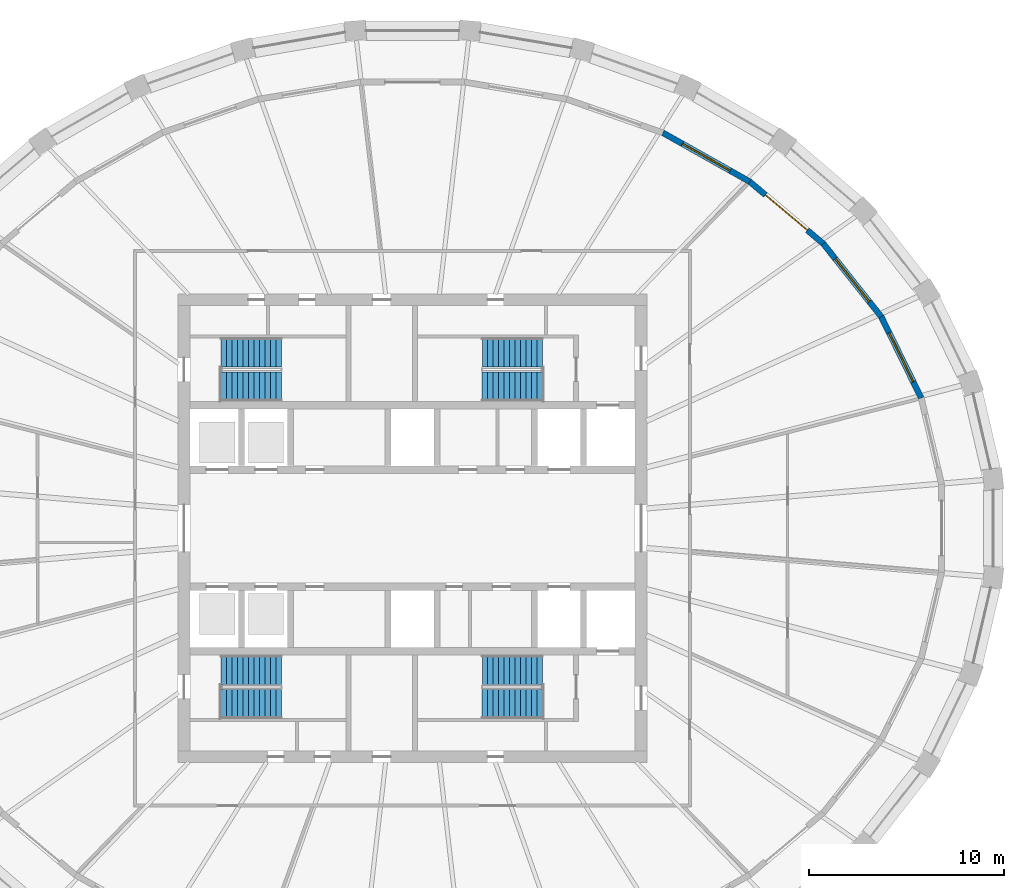
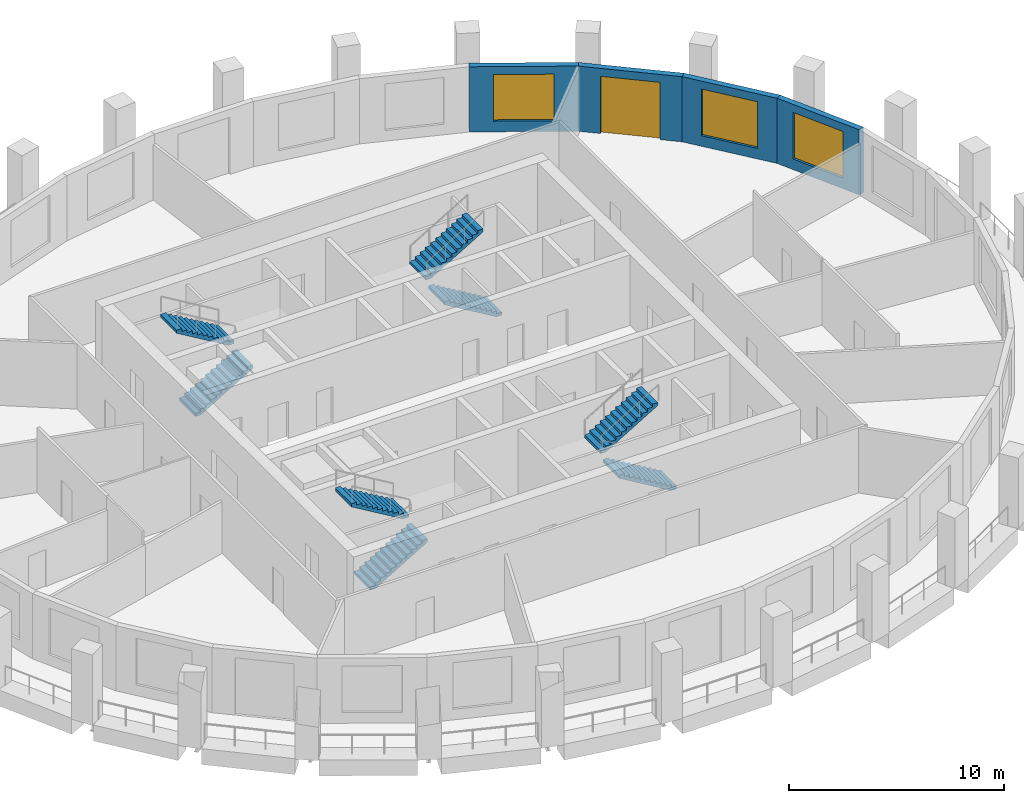
# One storey, part 7 of 10: 8 stair flights, 4 walls, 3 windows, 1 door, 4 openings, 4 elements without a shape of their own.
"""IFC4 building model written with IfcOpenShell, lengths in metres."""

from ifc_helpers import new_model, si_unit, direction, frame, frame_2d, origin, place, context, subcontext, project, spatial, polyline, rectangle, outline, extrude, material, layer, layer_set, type_object, element, fill, aggregate, save


model = new_model("IFC4")

# Units and contexts
model_context = context("Model", 3, precision=1e-05, world=origin(), true_north=direction((0.0, 1.0)))
body_context = subcontext(model_context, "Body", "Model", "MODEL_VIEW")
ifc_project = project(units=[si_unit("LENGTHUNIT", "METRE"), si_unit("AREAUNIT", "SQUARE_METRE"), si_unit("VOLUMEUNIT", "CUBIC_METRE"), si_unit("PLANEANGLEUNIT", "RADIAN"), si_unit("MASSUNIT", "GRAM", prefix="KILO")], contexts=[model_context])

# Site, building, storey
site_placement = place(None, origin())
site = spatial("IfcSite", under=ifc_project, at=site_placement, CompositionType="ELEMENT")
building_placement = place(site_placement, origin())
building = spatial("IfcBuilding", under=site, at=building_placement, Name="Halqa Exchange Tower", CompositionType="ELEMENT")
storey_placement = place(building_placement, frame((0.0, 0.0, 272.300048828125)))
storey = spatial("IfcBuildingStorey", under=building, at=storey_placement, Name="L63", CompositionType="ELEMENT", Elevation=272.300048828125)

# Wall, opening, window
ifc_material_1 = material(Name="Limestone cladding", Category="masonry")
ifc_layer_1 = layer(ifc_material_1, 0.0400390625)
ifc_material_2 = material(Name="Ventilated cavity")
ifc_layer_2 = layer(ifc_material_2, 0.030029296875, ventilated=True)
ifc_material_3 = material(Name="Mineral wool insulation")
ifc_layer_3 = layer(ifc_material_3, 0.10009765625)
ifc_material_4 = material(Name="Concrete C30/37", Category="concrete")
ifc_layer_4 = layer(ifc_material_4, 0.10009765625)
ifc_material_5 = material(Name="Internal plaster")
ifc_layer_5 = layer(ifc_material_5, 0.030029296875)
ifc_layer_set = layer_set([ifc_layer_1, ifc_layer_2, ifc_layer_3, ifc_layer_4, ifc_layer_5], Name="Stone-faced insulated wall 300")
wall_type = type_object("IfcWallType", Name="Stone-faced insulated wall 300", PredefinedType="STANDARD", material=ifc_layer_set)
wall_1_placement = place(storey_placement, frame((26.044921875, 6.669921875, 0.0), z_axis=(0.0, 0.0, 1.0), x_axis=(-0.441261940724, 0.897378348117, 0.0)))
wall_1 = element("IfcWall", 1, at=wall_1_placement, inside=storey, type_object=wall_type, Name="Glass-line wall 2", PredefinedType="STANDARD", context=body_context, shape_type="SweptSolid", body=[
    extrude(outline(polyline([(-0.016845703125, -0.14990234375), (4.65087890625, -0.14990234375), (4.61865234375, 0.14990234375), (0.016845703125, 0.14990234375), (-0.016845703125, -0.14990234375)])), origin(), (0.0, 0.0, 1.0), 3.699951171875),
])
opening_1_placement = place(wall_1_placement, frame((0.91748046875, 0.0, 0.60009765625)))
opening_1 = element("IfcOpeningElement", 2, at=opening_1_placement, cuts=wall_1, Name="Opening W-F4-02", PredefinedType="OPENING", context=body_context, shape_type="SweptSolid", body=[
    extrude(rectangle(XDim=2.800048828125, YDim=2.64990234375, at=frame_2d((1.39990234375, 1.324951171875))), frame((0.0, 0.162109375, 0.0), z_axis=(0.0, -1.0, 0.0), x_axis=(1.0, 0.0, 0.0)), (0.0, 0.0, 1.0), 0.323974609375),
])
ifc_material_6 = material(Name="Clear low-emissivity glass in aluminium frame", Category="aluminium")
window_type = type_object("IfcWindowType", Name="Fixed clear glazed window 2800 x 2650", PartitioningType="DOUBLE_PANEL_VERTICAL", PredefinedType="WINDOW", material=ifc_material_6)
window_1_placement = place(opening_1_placement, origin())
window_1 = element("IfcWindow", 3, at=window_1_placement, inside=storey, type_object=window_type, Name="Window 4", OverallHeight=2.64990234375, OverallWidth=2.800048828125, PartitioningType="DOUBLE_PANEL_VERTICAL", PredefinedType="WINDOW", context=body_context, shape_type="SweptSolid", body=[
    extrude(rectangle(XDim=2.800048828125, YDim=2.64990234375, at=frame_2d((1.39990234375, 1.324951171875))), frame((0.0, 0.030029296875, 0.0), z_axis=(0.0, -1.0, 0.0), x_axis=(1.0, 0.0, 0.0)), (0.0, 0.0, 1.0), 0.06005859375),
])
fill(opening_1, window_1)

wall_2_placement = place(storey_placement, frame((23.999755859375, 10.8291015625, 0.0), z_axis=(0.0, 0.0, 1.0), x_axis=(-0.621434755851, 0.783465917715, 0.0)))
wall_2 = element("IfcWall", 4, at=wall_2_placement, inside=storey, type_object=wall_type, Name="Glass-line wall 3", PredefinedType="STANDARD", context=body_context, shape_type="SweptSolid", body=[
    extrude(outline(polyline([(-0.01611328125, -0.14990234375), (4.7900390625, -0.14990234375), (4.759765625, 0.14990234375), (0.01611328125, 0.14990234375), (-0.01611328125, -0.14990234375)])), origin(), (0.0, 0.0, 1.0), 3.699951171875),
])
opening_2_placement = place(wall_2_placement, frame((0.9873046875, 0.0, 0.60009765625)))
opening_2 = element("IfcOpeningElement", 5, at=opening_2_placement, cuts=wall_2, Name="Opening W-F4-03", PredefinedType="OPENING", context=body_context, shape_type="SweptSolid", body=[
    extrude(rectangle(XDim=2.800048828125, YDim=2.64990234375, at=frame_2d((1.39990234375, 1.324951171875))), frame((0.0, 0.162109375, 0.0), z_axis=(0.0, -1.0, 0.0), x_axis=(1.0, 0.0, 0.0)), (0.0, 0.0, 1.0), 0.323974609375),
])
window_2_placement = place(opening_2_placement, origin())
window_2 = element("IfcWindow", 6, at=window_2_placement, inside=storey, type_object=window_type, Name="Window 4", OverallHeight=2.64990234375, OverallWidth=2.800048828125, PartitioningType="DOUBLE_PANEL_VERTICAL", PredefinedType="WINDOW", context=body_context, shape_type="SweptSolid", body=[
    extrude(rectangle(XDim=2.800048828125, YDim=2.64990234375, at=frame_2d((1.39990234375, 1.324951171875))), frame((0.0, 0.030029296875, 0.0), z_axis=(0.0, -1.0, 0.0), x_axis=(1.0, 0.0, 0.0)), (0.0, 0.0, 1.0), 0.06005859375),
])
fill(opening_2, window_2)

# Wall, opening, door
wall_3_placement = place(storey_placement, frame((21.032470703125, 14.570068359375, 0.0), z_axis=(0.0, 0.0, 1.0), x_axis=(-0.764832940795, 0.644228664897, 0.0)))
wall_3 = element("IfcWall", 7, at=wall_3_placement, inside=storey, type_object=wall_type, Name="Glass-line wall 4", PredefinedType="STANDARD", context=body_context, shape_type="SweptSolid", body=[
    extrude(outline(polyline([(-0.01513671875, -0.14990234375), (4.949462890625, -0.14990234375), (4.921142578125, 0.14990234375), (0.01513671875, 0.14990234375), (-0.01513671875, -0.14990234375)])), origin(), (0.0, 0.0, 1.0), 3.699951171875),
])
opening_3_placement = place(wall_3_placement, frame((1.067626953125, 0.0, 0.0)))
opening_3 = element("IfcOpeningElement", 8, at=opening_3_placement, cuts=wall_3, Name="Opening LG-F4-01", PredefinedType="OPENING", context=body_context, shape_type="SweptSolid", body=[
    extrude(rectangle(XDim=2.800048828125, YDim=3.25, at=frame_2d((1.39990234375, 1.625))), frame((0.0, 0.162109375, 0.0), z_axis=(0.0, -1.0, 0.0), x_axis=(1.0, 0.0, 0.0)), (0.0, 0.0, 1.0), 0.323974609375),
])
door_type = type_object("IfcDoorType", Name="Glazed sliding loggia door 2800 x 3250", OperationType="DOUBLE_DOOR_SLIDING", PredefinedType="DOOR", material=ifc_material_6)
door_placement = place(opening_3_placement, origin())
door = element("IfcDoor", 9, at=door_placement, inside=storey, type_object=door_type, Name="Loggia door 1", OperationType="DOUBLE_DOOR_SLIDING", OverallHeight=3.25, OverallWidth=2.800048828125, PredefinedType="DOOR", context=body_context, shape_type="SweptSolid", body=[
    extrude(rectangle(XDim=2.800048828125, YDim=3.25, at=frame_2d((1.39990234375, 1.625))), frame((0.0, 0.02490234375, 0.0), z_axis=(0.0, -1.0, 0.0), x_axis=(1.0, 0.0, 0.0)), (0.0, 0.0, 1.0), 0.050048828125),
])
fill(opening_3, door)

# Wall, opening, window
wall_4_placement = place(storey_placement, frame((17.2578125, 17.74951171875, 0.0), z_axis=(0.0, 0.0, 1.0), x_axis=(-0.871433320402, 0.490513983585, 0.0)))
wall_4 = element("IfcWall", 10, at=wall_4_placement, inside=storey, type_object=wall_type, Name="Glass-line wall 5", PredefinedType="STANDARD", context=body_context, shape_type="SweptSolid", body=[
    extrude(outline(polyline([(-0.01416015625, -0.14990234375), (5.103759765625, -0.14990234375), (5.076904296875, 0.14990234375), (0.01416015625, 0.14990234375), (-0.01416015625, -0.14990234375)])), origin(), (0.0, 0.0, 1.0), 3.699951171875),
])
opening_4_placement = place(wall_4_placement, frame((1.14501953125, 0.0, 0.60009765625)))
opening_4 = element("IfcOpeningElement", 11, at=opening_4_placement, cuts=wall_4, Name="Opening W-F4-05", PredefinedType="OPENING", context=body_context, shape_type="SweptSolid", body=[
    extrude(rectangle(XDim=2.800048828125, YDim=2.64990234375, at=frame_2d((1.39990234375, 1.324951171875))), frame((0.0, 0.162109375, 0.0), z_axis=(0.0, -1.0, 0.0), x_axis=(1.0, 0.0, 0.0)), (0.0, 0.0, 1.0), 0.323974609375),
])
window_3_placement = place(opening_4_placement, origin())
window_3 = element("IfcWindow", 12, at=window_3_placement, inside=storey, type_object=window_type, Name="Window 4", OverallHeight=2.64990234375, OverallWidth=2.800048828125, PartitioningType="DOUBLE_PANEL_VERTICAL", PredefinedType="WINDOW", context=body_context, shape_type="SweptSolid", body=[
    extrude(rectangle(XDim=2.800048828125, YDim=2.64990234375, at=frame_2d((1.39990234375, 1.324951171875))), frame((0.0, 0.030029296875, 0.0), z_axis=(0.0, -1.0, 0.0), x_axis=(1.0, 0.0, 0.0)), (0.0, 0.0, 1.0), 0.06005859375),
])
fill(opening_4, window_3)

# Stair, stair flights
stair_type = type_object("IfcStairType", Name="Exit stair 1500 wide", PredefinedType="HALF_TURN_STAIR", material=ifc_material_4)
stair_1_placement = place(storey_placement, origin())
stair_1 = element("IfcStair", 13, at=stair_1_placement, inside=storey, type_object=stair_type, Name="Exit stair ST1", PredefinedType="HALF_TURN_STAIR")
stair_flight_type = type_object("IfcStairFlightType", Name="Stair flight 1500 wide", PredefinedType="STRAIGHT", material=ifc_material_4)
stair_flight_1_placement = place(storey_placement, frame((-9.800048828125, 7.25, 0.0), z_axis=(0.0, 0.0, 1.0), x_axis=(1.0, 0.0, 0.0)))
stair_flight_1 = element("IfcStairFlight", 14, at=stair_flight_1_placement, type_object=stair_flight_type, Name="ST1 flight 1", NumberOfRisers=12, NumberOfTreads=11, PredefinedType="STRAIGHT", RiserHeight=0.166666667, TreadLength=0.28, context=body_context, shape_type="SweptSolid", body=[
    extrude(outline(polyline([(0.0, 0.0), (0.0, 0.166748046875), (0.280029296875, 0.166748046875), (0.280029296875, 0.333251953125), (0.56005859375, 0.333251953125), (0.56005859375, 0.5), (0.840087890625, 0.5), (0.840087890625, 0.666748046875), (1.1201171875, 0.666748046875), (1.1201171875, 0.833251953125), (1.39990234375, 0.833251953125), (1.39990234375, 1.0), (1.679931640625, 1.0), (1.679931640625, 1.166748046875), (1.9599609375, 1.166748046875), (1.9599609375, 1.333251953125), (2.239990234375, 1.333251953125), (2.239990234375, 1.5), (2.52001953125, 1.5), (2.52001953125, 1.666748046875), (2.800048828125, 1.666748046875), (2.800048828125, 1.833251953125), (3.080078125, 1.833251953125), (3.080078125, 2.0), (3.080078125, 1.658935546875), (0.29296875, 0.0), (0.0, 0.0)])), frame((0.0, 0.75, 0.0), z_axis=(0.0, -1.0, 0.0), x_axis=(1.0, 0.0, 0.0)), (0.0, 0.0, 1.0), 1.5),
])
stair_flight_2_placement = place(storey_placement, frame((-6.719970703125, 9.0, 2.0), z_axis=(0.0, 0.0, 1.0), x_axis=(-1.0, 0.0, 0.0)))
stair_flight_2 = element("IfcStairFlight", 15, at=stair_flight_2_placement, type_object=stair_flight_type, Name="ST1 flight 2", NumberOfRisers=12, NumberOfTreads=11, PredefinedType="STRAIGHT", RiserHeight=0.166666667, TreadLength=0.28, context=body_context, shape_type="SweptSolid", body=[
    extrude(outline(polyline([(0.0, 0.0), (0.0, 0.166748046875), (0.280029296875, 0.166748046875), (0.280029296875, 0.333251953125), (0.56005859375, 0.333251953125), (0.56005859375, 0.5), (0.840087890625, 0.5), (0.840087890625, 0.666748046875), (1.1201171875, 0.666748046875), (1.1201171875, 0.833251953125), (1.39990234375, 0.833251953125), (1.39990234375, 1.0), (1.679931640625, 1.0), (1.679931640625, 1.166748046875), (1.9599609375, 1.166748046875), (1.9599609375, 1.333251953125), (2.239990234375, 1.333251953125), (2.239990234375, 1.5), (2.52001953125, 1.5), (2.52001953125, 1.666748046875), (2.800048828125, 1.666748046875), (2.800048828125, 1.833251953125), (3.080078125, 1.833251953125), (3.080078125, 2.0), (3.080078125, 1.658935546875), (0.29296875, 0.0), (0.0, 0.0)])), frame((0.0, 0.75, 0.0), z_axis=(0.0, -1.0, 0.0), x_axis=(1.0, 0.0, 0.0)), (0.0, 0.0, 1.0), 1.5),
])
aggregate(stair_1, [stair_flight_1, stair_flight_2])

stair_2_placement = place(storey_placement, origin())
stair_2 = element("IfcStair", 16, at=stair_2_placement, inside=storey, type_object=stair_type, Name="Exit stair ST2", PredefinedType="HALF_TURN_STAIR")
stair_flight_3_placement = place(storey_placement, frame((6.64990234375, 7.25, 0.0), z_axis=(0.0, 0.0, 1.0), x_axis=(-1.0, 0.0, 0.0)))
stair_flight_3 = element("IfcStairFlight", 17, at=stair_flight_3_placement, type_object=stair_flight_type, Name="ST2 flight 1", NumberOfRisers=12, NumberOfTreads=11, PredefinedType="STRAIGHT", RiserHeight=0.166666667, TreadLength=0.28, context=body_context, shape_type="SweptSolid", body=[
    extrude(outline(polyline([(0.0, 0.0), (0.0, 0.166748046875), (0.280029296875, 0.166748046875), (0.280029296875, 0.333251953125), (0.56005859375, 0.333251953125), (0.56005859375, 0.5), (0.840087890625, 0.5), (0.840087890625, 0.666748046875), (1.1201171875, 0.666748046875), (1.1201171875, 0.833251953125), (1.39990234375, 0.833251953125), (1.39990234375, 1.0), (1.679931640625, 1.0), (1.679931640625, 1.166748046875), (1.9599609375, 1.166748046875), (1.9599609375, 1.333251953125), (2.239990234375, 1.333251953125), (2.239990234375, 1.5), (2.52001953125, 1.5), (2.52001953125, 1.666748046875), (2.800048828125, 1.666748046875), (2.800048828125, 1.833251953125), (3.080078125, 1.833251953125), (3.080078125, 2.0), (3.080078125, 1.658935546875), (0.29296875, 0.0), (0.0, 0.0)])), frame((0.0, 0.75, 0.0), z_axis=(0.0, -1.0, 0.0), x_axis=(1.0, 0.0, 0.0)), (0.0, 0.0, 1.0), 1.5),
])
stair_flight_4_placement = place(storey_placement, frame((3.570068359375, 9.0, 2.0), z_axis=(0.0, 0.0, 1.0), x_axis=(1.0, 0.0, 0.0)))
stair_flight_4 = element("IfcStairFlight", 18, at=stair_flight_4_placement, type_object=stair_flight_type, Name="ST2 flight 2", NumberOfRisers=12, NumberOfTreads=11, PredefinedType="STRAIGHT", RiserHeight=0.166666667, TreadLength=0.28, context=body_context, shape_type="SweptSolid", body=[
    extrude(outline(polyline([(0.0, 0.0), (0.0, 0.166748046875), (0.280029296875, 0.166748046875), (0.280029296875, 0.333251953125), (0.56005859375, 0.333251953125), (0.56005859375, 0.5), (0.840087890625, 0.5), (0.840087890625, 0.666748046875), (1.1201171875, 0.666748046875), (1.1201171875, 0.833251953125), (1.39990234375, 0.833251953125), (1.39990234375, 1.0), (1.679931640625, 1.0), (1.679931640625, 1.166748046875), (1.9599609375, 1.166748046875), (1.9599609375, 1.333251953125), (2.239990234375, 1.333251953125), (2.239990234375, 1.5), (2.52001953125, 1.5), (2.52001953125, 1.666748046875), (2.800048828125, 1.666748046875), (2.800048828125, 1.833251953125), (3.080078125, 1.833251953125), (3.080078125, 2.0), (3.080078125, 1.658935546875), (0.29296875, 0.0), (0.0, 0.0)])), frame((0.0, 0.75, 0.0), z_axis=(0.0, -1.0, 0.0), x_axis=(1.0, 0.0, 0.0)), (0.0, 0.0, 1.0), 1.5),
])
aggregate(stair_2, [stair_flight_3, stair_flight_4])

stair_3_placement = place(storey_placement, origin())
stair_3 = element("IfcStair", 19, at=stair_3_placement, inside=storey, type_object=stair_type, Name="Exit stair ST3", PredefinedType="HALF_TURN_STAIR")
stair_flight_5_placement = place(storey_placement, frame((-9.800048828125, -9.0, 0.0), z_axis=(0.0, 0.0, 1.0), x_axis=(1.0, 0.0, 0.0)))
stair_flight_5 = element("IfcStairFlight", 20, at=stair_flight_5_placement, type_object=stair_flight_type, Name="ST3 flight 1", NumberOfRisers=12, NumberOfTreads=11, PredefinedType="STRAIGHT", RiserHeight=0.166666667, TreadLength=0.28, context=body_context, shape_type="SweptSolid", body=[
    extrude(outline(polyline([(0.0, 0.0), (0.0, 0.166748046875), (0.280029296875, 0.166748046875), (0.280029296875, 0.333251953125), (0.56005859375, 0.333251953125), (0.56005859375, 0.5), (0.840087890625, 0.5), (0.840087890625, 0.666748046875), (1.1201171875, 0.666748046875), (1.1201171875, 0.833251953125), (1.39990234375, 0.833251953125), (1.39990234375, 1.0), (1.679931640625, 1.0), (1.679931640625, 1.166748046875), (1.9599609375, 1.166748046875), (1.9599609375, 1.333251953125), (2.239990234375, 1.333251953125), (2.239990234375, 1.5), (2.52001953125, 1.5), (2.52001953125, 1.666748046875), (2.800048828125, 1.666748046875), (2.800048828125, 1.833251953125), (3.080078125, 1.833251953125), (3.080078125, 2.0), (3.080078125, 1.658935546875), (0.29296875, 0.0), (0.0, 0.0)])), frame((0.0, 0.75, 0.0), z_axis=(0.0, -1.0, 0.0), x_axis=(1.0, 0.0, 0.0)), (0.0, 0.0, 1.0), 1.5),
])
stair_flight_6_placement = place(storey_placement, frame((-6.719970703125, -7.25, 2.0), z_axis=(0.0, 0.0, 1.0), x_axis=(-1.0, 0.0, 0.0)))
stair_flight_6 = element("IfcStairFlight", 21, at=stair_flight_6_placement, type_object=stair_flight_type, Name="ST3 flight 2", NumberOfRisers=12, NumberOfTreads=11, PredefinedType="STRAIGHT", RiserHeight=0.166666667, TreadLength=0.28, context=body_context, shape_type="SweptSolid", body=[
    extrude(outline(polyline([(0.0, 0.0), (0.0, 0.166748046875), (0.280029296875, 0.166748046875), (0.280029296875, 0.333251953125), (0.56005859375, 0.333251953125), (0.56005859375, 0.5), (0.840087890625, 0.5), (0.840087890625, 0.666748046875), (1.1201171875, 0.666748046875), (1.1201171875, 0.833251953125), (1.39990234375, 0.833251953125), (1.39990234375, 1.0), (1.679931640625, 1.0), (1.679931640625, 1.166748046875), (1.9599609375, 1.166748046875), (1.9599609375, 1.333251953125), (2.239990234375, 1.333251953125), (2.239990234375, 1.5), (2.52001953125, 1.5), (2.52001953125, 1.666748046875), (2.800048828125, 1.666748046875), (2.800048828125, 1.833251953125), (3.080078125, 1.833251953125), (3.080078125, 2.0), (3.080078125, 1.658935546875), (0.29296875, 0.0), (0.0, 0.0)])), frame((0.0, 0.75, 0.0), z_axis=(0.0, -1.0, 0.0), x_axis=(1.0, 0.0, 0.0)), (0.0, 0.0, 1.0), 1.5),
])
aggregate(stair_3, [stair_flight_5, stair_flight_6])

stair_4_placement = place(storey_placement, origin())
stair_4 = element("IfcStair", 22, at=stair_4_placement, inside=storey, type_object=stair_type, Name="Exit stair ST4", PredefinedType="HALF_TURN_STAIR")
stair_flight_7_placement = place(storey_placement, frame((6.64990234375, -9.0, 0.0), z_axis=(0.0, 0.0, 1.0), x_axis=(-1.0, 0.0, 0.0)))
stair_flight_7 = element("IfcStairFlight", 23, at=stair_flight_7_placement, type_object=stair_flight_type, Name="ST4 flight 1", NumberOfRisers=12, NumberOfTreads=11, PredefinedType="STRAIGHT", RiserHeight=0.166666667, TreadLength=0.28, context=body_context, shape_type="SweptSolid", body=[
    extrude(outline(polyline([(0.0, 0.0), (0.0, 0.166748046875), (0.280029296875, 0.166748046875), (0.280029296875, 0.333251953125), (0.56005859375, 0.333251953125), (0.56005859375, 0.5), (0.840087890625, 0.5), (0.840087890625, 0.666748046875), (1.1201171875, 0.666748046875), (1.1201171875, 0.833251953125), (1.39990234375, 0.833251953125), (1.39990234375, 1.0), (1.679931640625, 1.0), (1.679931640625, 1.166748046875), (1.9599609375, 1.166748046875), (1.9599609375, 1.333251953125), (2.239990234375, 1.333251953125), (2.239990234375, 1.5), (2.52001953125, 1.5), (2.52001953125, 1.666748046875), (2.800048828125, 1.666748046875), (2.800048828125, 1.833251953125), (3.080078125, 1.833251953125), (3.080078125, 2.0), (3.080078125, 1.658935546875), (0.29296875, 0.0), (0.0, 0.0)])), frame((0.0, 0.75, 0.0), z_axis=(0.0, -1.0, 0.0), x_axis=(1.0, 0.0, 0.0)), (0.0, 0.0, 1.0), 1.5),
])
stair_flight_8_placement = place(storey_placement, frame((3.570068359375, -7.25, 2.0), z_axis=(0.0, 0.0, 1.0), x_axis=(1.0, 0.0, 0.0)))
stair_flight_8 = element("IfcStairFlight", 24, at=stair_flight_8_placement, type_object=stair_flight_type, Name="ST4 flight 2", NumberOfRisers=12, NumberOfTreads=11, PredefinedType="STRAIGHT", RiserHeight=0.166666667, TreadLength=0.28, context=body_context, shape_type="SweptSolid", body=[
    extrude(outline(polyline([(0.0, 0.0), (0.0, 0.166748046875), (0.280029296875, 0.166748046875), (0.280029296875, 0.333251953125), (0.56005859375, 0.333251953125), (0.56005859375, 0.5), (0.840087890625, 0.5), (0.840087890625, 0.666748046875), (1.1201171875, 0.666748046875), (1.1201171875, 0.833251953125), (1.39990234375, 0.833251953125), (1.39990234375, 1.0), (1.679931640625, 1.0), (1.679931640625, 1.166748046875), (1.9599609375, 1.166748046875), (1.9599609375, 1.333251953125), (2.239990234375, 1.333251953125), (2.239990234375, 1.5), (2.52001953125, 1.5), (2.52001953125, 1.666748046875), (2.800048828125, 1.666748046875), (2.800048828125, 1.833251953125), (3.080078125, 1.833251953125), (3.080078125, 2.0), (3.080078125, 1.658935546875), (0.29296875, 0.0), (0.0, 0.0)])), frame((0.0, 0.75, 0.0), z_axis=(0.0, -1.0, 0.0), x_axis=(1.0, 0.0, 0.0)), (0.0, 0.0, 1.0), 1.5),
])
aggregate(stair_4, [stair_flight_7, stair_flight_8])

save(model, "model.ifc")
